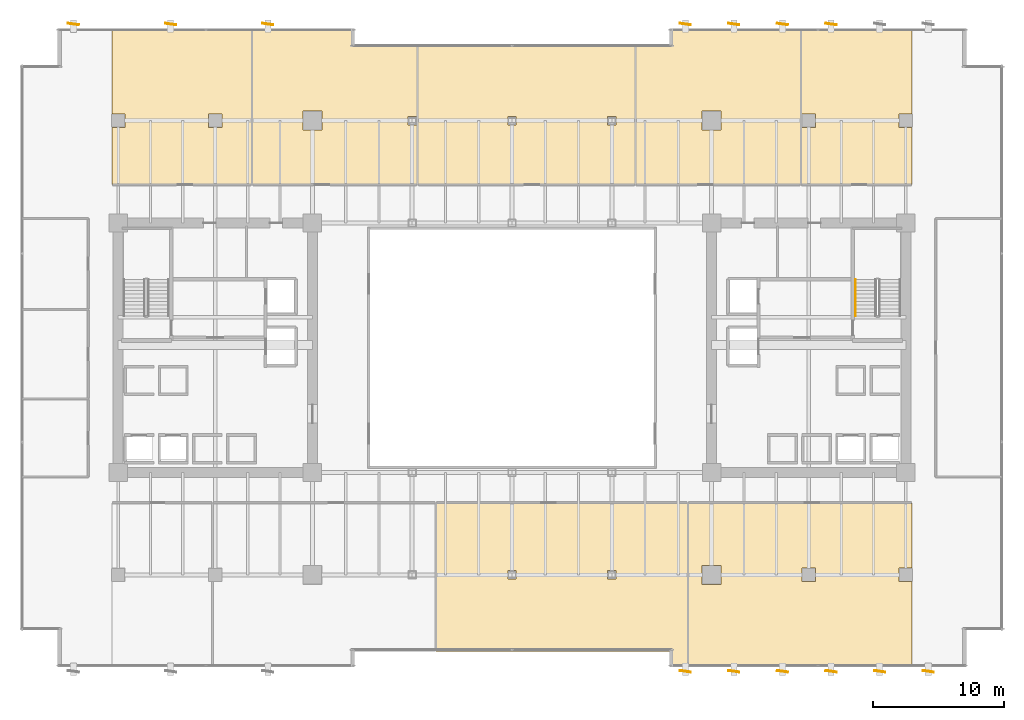
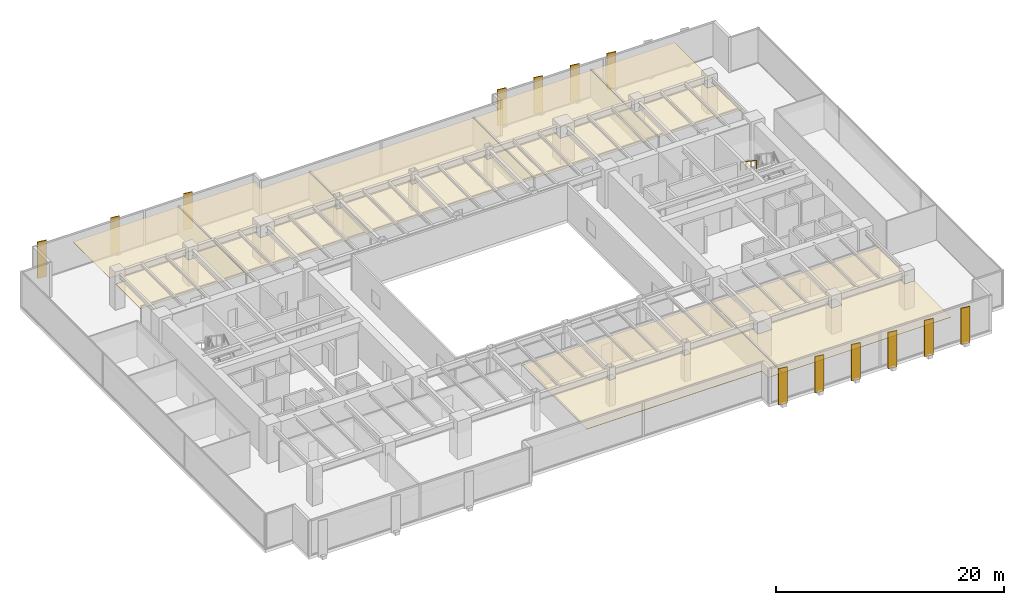
# One storey, part 36 of 37: 13 shading devices, 7 coverings, 1 railing.
"""IFC4 building model written with IfcOpenShell, lengths in metres."""

import ifcopenshell
import ifcopenshell.guid

model = None  # the IFC model being written
_history = None  # IfcOwnerHistory: only IFC2X3 demands one
_inside = {}  # id of a spatial element -> (the spatial element, [elements in it])
_under = {}  # id of a project, library or spatial element -> (it, [spatial elements below it])
_declared = {}  # id of a project -> (the project, [libraries it declares])
_typed = {}  # id of a type object -> (the type object, [elements of that type])
_made_of = {}  # id of a material, layer set ... -> (it, [elements and type objects made of it])


def new_model(schema):
    """Start an empty IFC model of exactly this schema.

    Asked for "IFC4X3", IfcOpenShell would pick the latest addendum, in which some entities
    have other attributes; the version numbers below select the first issue.
    IFC2X3 requires an IfcOwnerHistory on every rooted entity: one is made here for all.
    """
    global model, _history
    if schema == "IFC4X3":
        model = ifcopenshell.file(schema_version=(4, 3, 0, 0))
    else:
        model = ifcopenshell.file(schema=schema)
    _inside.clear()
    _under.clear()
    _declared.clear()
    _typed.clear()
    _made_of.clear()
    _history = None
    if model.schema == "IFC2X3":
        org = make("IfcOrganization", Name="unknown")
        user = make(
            "IfcPersonAndOrganization",
            ThePerson=make("IfcPerson", FamilyName="unknown"),
            TheOrganization=org,
        )
        app = make(
            "IfcApplication",
            ApplicationDeveloper=org,
            Version="unknown",
            ApplicationFullName="unknown",
            ApplicationIdentifier="unknown",
        )
        _history = make(
            "IfcOwnerHistory",
            OwningUser=user,
            OwningApplication=app,
            ChangeAction="ADDED",
            CreationDate=0,
        )
    return model


def make(cls, **values):
    """One entity of the class cls with the attributes given. An attribute that is None is left unset."""
    return model.create_entity(
        cls, **{name: value for name, value in values.items() if value is not None}
    )


def rooted(cls, **values):
    """An entity with a GlobalId (a new one), such as an element, a storey or a relation."""
    return make(cls, GlobalId=ifcopenshell.guid.new(), OwnerHistory=_history, **values)


def si_unit(unit_type, name, prefix=None):
    """IfcSIUnit, for example si_unit("LENGTHUNIT", "METRE", prefix="MILLI")."""
    return make("IfcSIUnit", UnitType=unit_type, Prefix=prefix, Name=name)


def assignment(units):
    """IfcUnitAssignment: the units of a project."""
    return None if units is None else make("IfcUnitAssignment", Units=units)


def point(xyz):
    """IfcCartesianPoint."""
    return None if xyz is None else make("IfcCartesianPoint", Coordinates=xyz)


def direction(xyz):
    """IfcDirection."""
    return None if xyz is None else make("IfcDirection", DirectionRatios=xyz)


def frame(location, z_axis=None, x_axis=None):
    """IfcAxis2Placement3D, a coordinate frame: its origin and axes. An axis left out is left unset."""
    return make(
        "IfcAxis2Placement3D",
        Location=point(location),
        Axis=direction(z_axis),
        RefDirection=direction(x_axis),
    )


def frame_2d(location, x_axis=None):
    """IfcAxis2Placement2D, a coordinate frame in the plane: its origin and x axis."""
    return make(
        "IfcAxis2Placement2D", Location=point(location), RefDirection=direction(x_axis)
    )


def origin():
    """The frame at (0, 0, 0) with its axes left unset."""
    return frame((0.0, 0.0, 0.0))


def origin_2d():
    """The frame at (0, 0) in the plane with its x axis left unset."""
    return frame_2d((0.0, 0.0))


def place(relative_to, where):
    """IfcLocalPlacement: puts the frame where relative to a parent placement (None: the world)."""
    return make(
        "IfcLocalPlacement", PlacementRelTo=relative_to, RelativePlacement=where
    )


def context(
    kind, dimensions, precision=None, world=None, true_north=None, identifier=None
):
    """IfcGeometricRepresentationContext, for example the 3D "Model" context."""
    return make(
        "IfcGeometricRepresentationContext",
        ContextIdentifier=identifier,
        ContextType=kind,
        CoordinateSpaceDimension=dimensions,
        Precision=precision,
        WorldCoordinateSystem=world,
        TrueNorth=true_north,
    )


def subcontext(parent, identifier, kind, view, scale=None):
    """IfcGeometricRepresentationSubContext, for example "Body" below "Model"."""
    return make(
        "IfcGeometricRepresentationSubContext",
        ContextIdentifier=identifier,
        ContextType=kind,
        ParentContext=parent,
        TargetScale=scale,
        TargetView=view,
    )


def project(units=None, contexts=None):
    """IfcProject with its units and contexts."""
    return rooted(
        "IfcProject",
        Name="project",
        RepresentationContexts=contexts,
        UnitsInContext=assignment(units),
    )


def spatial(cls, under=None, at=None, **own):
    """A site, building, storey or space (cls), placed at a placement, below another one or the project."""
    s = rooted(cls, ObjectPlacement=at, **own)
    if under is not None:
        _under.setdefault(under.id(), (under, []))[1].append(s)
    return s


def polyline(points):
    """IfcPolyline through the points."""
    return make("IfcPolyline", Points=[point(p) for p in points])


def profile(cls, at=None, kind="AREA", **sizes):
    """A parametric profile (cls). Its sizes go by their IFC names, for example OverallWidth=200.0."""
    return make(cls, ProfileType=kind, Position=at, **sizes)


def rectangle(**sizes):
    """IfcRectangleProfileDef."""
    return profile("IfcRectangleProfileDef", **sizes)


def circle(**sizes):
    """IfcCircleProfileDef."""
    return profile("IfcCircleProfileDef", **sizes)


def outline(outer, holes=None, kind="AREA"):
    """IfcArbitraryClosedProfileDef: a profile drawn as a closed curve; with holes, ...WithVoids."""
    if holes is None:
        return make("IfcArbitraryClosedProfileDef", ProfileType=kind, OuterCurve=outer)
    return make(
        "IfcArbitraryProfileDefWithVoids",
        ProfileType=kind,
        OuterCurve=outer,
        InnerCurves=holes,
    )


def extrude(swept, where, along, depth):
    """IfcExtrudedAreaSolid: the profile swept, set in the frame where, extruded along a direction by depth."""
    return make(
        "IfcExtrudedAreaSolid",
        SweptArea=swept,
        Position=where,
        ExtrudedDirection=direction(along),
        Depth=depth,
    )


def shape(context_of_items, identifier, shape_type, items):
    """IfcShapeRepresentation: the items that make up one representation, for example the "Body"."""
    return make(
        "IfcShapeRepresentation",
        ContextOfItems=context_of_items,
        RepresentationIdentifier=identifier,
        RepresentationType=shape_type,
        Items=items,
    )


def source(mapping_origin, context_of_items, identifier, shape_type, items):
    """IfcRepresentationMap: a shape defined once, which mapped items show again and again."""
    return make(
        "IfcRepresentationMap",
        MappingOrigin=mapping_origin,
        MappedRepresentation=shape(context_of_items, identifier, shape_type, items),
    )


def transform(
    local_origin,
    x_axis=None,
    y_axis=None,
    z_axis=None,
    scale=None,
    scale2=None,
    scale3=None,
    uniform=True,
):
    """IfcCartesianTransformationOperator3D, or its non-uniform kind. x_axis, y_axis, z_axis: its Axis1, 2, 3."""
    if uniform:
        return make(
            "IfcCartesianTransformationOperator3D",
            Axis1=direction(x_axis),
            Axis2=direction(y_axis),
            LocalOrigin=point(local_origin),
            Scale=scale,
            Axis3=direction(z_axis),
        )
    return make(
        "IfcCartesianTransformationOperator3DnonUniform",
        Axis1=direction(x_axis),
        Axis2=direction(y_axis),
        LocalOrigin=point(local_origin),
        Scale=scale,
        Axis3=direction(z_axis),
        Scale2=scale2,
        Scale3=scale3,
    )


def mapped(mapping_source, mapping_target):
    """IfcMappedItem: shows the shape of a source again, moved by a transform."""
    return make(
        "IfcMappedItem", MappingSource=mapping_source, MappingTarget=mapping_target
    )


def material(Name=None, Category=None):
    """IfcMaterial."""
    return make("IfcMaterial", Name=Name, Category=Category)


def layer(
    of_material, thickness, ventilated=None, Name=None, Category=None, Priority=None
):
    """IfcMaterialLayer: one layer of a wall or slab, of a material (None: an air gap)."""
    return make(
        "IfcMaterialLayer",
        Material=of_material,
        LayerThickness=thickness,
        IsVentilated=ventilated,
        Name=Name,
        Category=Category,
        Priority=Priority,
    )


def layer_set(layers, Name=None):
    """IfcMaterialLayerSet."""
    return make("IfcMaterialLayerSet", MaterialLayers=layers, LayerSetName=Name)


def material_profile(
    of_material, cross_section, Name=None, Category=None, Priority=None
):
    """IfcMaterialProfile: a cross section and its material."""
    return make(
        "IfcMaterialProfile",
        Name=Name,
        Material=of_material,
        Profile=cross_section,
        Priority=Priority,
        Category=Category,
    )


def profile_set(profiles, Name=None, composite=None):
    """IfcMaterialProfileSet."""
    return make(
        "IfcMaterialProfileSet",
        Name=Name,
        MaterialProfiles=profiles,
        CompositeProfile=composite,
    )


def made_of(thing, what):
    """Note that an element or type object is made of a material, layer set ...; save() writes the relation."""
    if what is not None:
        _made_of.setdefault(what.id(), (what, []))[1].append(thing)
    return thing


def type_object(cls, material=None, **own):
    """A type object (cls), such as IfcWallType, which elements share."""
    return made_of(rooted(cls, **own), material)


def type_shapes(of_type, sources):
    """Give a type object the sources (RepresentationMaps) that its elements show as mapped items."""
    of_type.RepresentationMaps = sources


def element(
    cls,
    number,
    at=None,
    inside=None,
    cuts=None,
    type_object=None,
    material=None,
    context=None,
    identifier="Body",
    shape_type=None,
    held_by="IfcProductDefinitionShape",
    body=None,
    shapes=None,
    **own,
):
    """One element of the class cls, such as IfcWall. Its Tag is "e" and its number.

    at: its placement. inside: the storey or other place that contains it. cuts: it is an
    opening in that element (IfcRelVoidsElement). A single representation is given by context,
    identifier, shape_type and body (its items); several are given by shapes. held_by: the class
    of the entity that holds the representations. save() writes the other relations.
    """
    e = rooted(cls, Tag="e%d" % number, ObjectPlacement=at, **own)
    if body is not None:
        shapes = [shape(context, identifier, shape_type, body)]
    if shapes is not None:
        e.Representation = make(held_by, Representations=shapes)
    if inside is not None:
        _inside.setdefault(inside.id(), (inside, []))[1].append(e)
    if cuts is not None:
        rooted(
            "IfcRelVoidsElement", RelatingBuildingElement=cuts, RelatedOpeningElement=e
        )
    if type_object is not None:
        _typed.setdefault(type_object.id(), (type_object, []))[1].append(e)
    return made_of(e, material)


def aggregate(whole, parts):
    """IfcRelAggregates: a whole, such as a stair, and the parts it consists of."""
    return rooted("IfcRelAggregates", RelatingObject=whole, RelatedObjects=parts)


def save(model, path):
    """Write the relations noted so far, then the file.

    IfcRelAggregates (storeys below a building ...), IfcRelContainedInSpatialStructure (elements
    in a storey), IfcRelDefinesByType, IfcRelAssociatesMaterial and IfcRelDeclares: one each for
    every whole, place, type object, material and project.
    """
    for whole, parts in _under.values():
        aggregate(whole, parts)
    for where, things in _inside.values():
        rooted(
            "IfcRelContainedInSpatialStructure",
            RelatedElements=things,
            RelatingStructure=where,
        )
    for kind, things in _typed.values():
        rooted("IfcRelDefinesByType", RelatedObjects=things, RelatingType=kind)
    for what, things in _made_of.values():
        rooted("IfcRelAssociatesMaterial", RelatedObjects=things, RelatingMaterial=what)
    for by, libraries in _declared.values():
        rooted("IfcRelDeclares", RelatingContext=by, RelatedDefinitions=libraries)
    model.write(path)


model = new_model("IFC4")

# Units and contexts
model_context = context("Model", 3, precision=1e-05, world=origin(), true_north=direction((0.0, 1.0)))
body_context = subcontext(model_context, "Body", "Model", "MODEL_VIEW")
ifc_project = project(units=[si_unit("LENGTHUNIT", "METRE"), si_unit("AREAUNIT", "SQUARE_METRE"), si_unit("VOLUMEUNIT", "CUBIC_METRE"), si_unit("PLANEANGLEUNIT", "RADIAN"), si_unit("MASSUNIT", "GRAM", prefix="KILO")], contexts=[model_context])

# Site, building, storey
site_placement = place(None, origin())
site = spatial("IfcSite", under=ifc_project, at=site_placement, CompositionType="ELEMENT")
building_placement = place(site_placement, origin())
building = spatial("IfcBuilding", under=site, at=building_placement, Name="Haelvirn Gate Laboratories", CompositionType="ELEMENT")
storey_placement = place(building_placement, frame((0.0, 0.0, 74.39990234375)))
storey = spatial("IfcBuildingStorey", under=building, at=storey_placement, Name="L18", CompositionType="ELEMENT", Elevation=74.39990234375)

# Coverings
ifc_material_1 = material(Name="Micro-perforated acoustic mineral-fibre laboratory ceiling")
ifc_layer = layer(ifc_material_1, 0.0400390625, Name="COV-CEIL-ACT")
ifc_layer_set = layer_set([ifc_layer], Name="Micro-perforated acoustic mineral-fibre laboratory ceiling")
covering_type = type_object("IfcCoveringType", Name="COV-CEIL-ACT", PredefinedType="CEILING", material=ifc_layer_set)
covering_1_placement = place(storey_placement, frame((0.0, 0.0, 2.81005859375)))
element("IfcCovering", 1, at=covering_1_placement, inside=storey, type_object=covering_type, Name="L18 Laboratory Acoustic Ceiling CEIL-SP-L18-S-03", PredefinedType="CEILING", context=body_context, shape_type="SweptSolid", body=[
    extrude(outline(polyline([(31.6201171875, 1.179931640625), (31.6201171875, 12.47998046875), (50.780029296875, 12.47998046875), (50.780029296875, 0.050048828125), (49.3798828125, 0.050048828125), (49.3798828125, 1.179931640625), (31.6201171875, 1.179931640625)]), holes=[polyline([(37.080078125, 7.320068359375), (37.080078125, 6.679931640625), (37.719970703125, 6.679931640625), (37.719970703125, 7.320068359375), (37.080078125, 7.320068359375)]), polyline([(45.320068359375, 7.320068359375), (44.679931640625, 7.320068359375), (44.679931640625, 6.679931640625), (45.320068359375, 6.679931640625), (45.320068359375, 7.320068359375)])]), origin(), (0.0, 0.0, 1.0), 0.0400390625),
])
covering_2_placement = place(storey_placement, frame((0.0, 0.0, 2.81005859375)))
element("IfcCovering", 2, at=covering_2_placement, inside=storey, type_object=covering_type, Name="L18 Laboratory Acoustic Ceiling CEIL-SP-L18-S-04", PredefinedType="CEILING", context=body_context, shape_type="SweptSolid", body=[
    extrude(outline(polyline([(67.8798828125, 0.050048828125), (50.820068359375, 0.050048828125), (50.820068359375, 12.47998046875), (67.8798828125, 12.47998046875), (67.8798828125, 7.52001953125), (66.8798828125, 7.52001953125), (66.8798828125, 6.47998046875), (67.8798828125, 6.47998046875), (67.8798828125, 0.050048828125)]), holes=[polyline([(51.8798828125, 6.280029296875), (53.320068359375, 6.280029296875), (53.320068359375, 7.719970703125), (51.8798828125, 7.719970703125), (51.8798828125, 6.280029296875)]), polyline([(59.47998046875, 7.52001953125), (59.47998046875, 6.47998046875), (60.52001953125, 6.47998046875), (60.52001953125, 7.52001953125), (59.47998046875, 7.52001953125)])]), origin(), (0.0, 0.0, 1.0), 0.0400390625),
])
covering_3_placement = place(storey_placement, frame((0.0, 0.0, 2.81005859375)))
element("IfcCovering", 3, at=covering_3_placement, inside=storey, type_object=covering_type, Name="L18 Laboratory Acoustic Ceiling CEIL-SP-L18-N-01", PredefinedType="CEILING", context=body_context, shape_type="SweptSolid", body=[
    extrude(outline(polyline([(6.919921875, 41.080078125), (7.919921875, 41.080078125), (7.919921875, 42.1201171875), (6.919921875, 42.1201171875), (6.919921875, 48.550048828125), (17.580078125, 48.550048828125), (17.580078125, 36.719970703125), (6.919921875, 36.719970703125), (6.919921875, 41.080078125)]), holes=[polyline([(14.280029296875, 42.1201171875), (14.280029296875, 41.080078125), (15.320068359375, 41.080078125), (15.320068359375, 42.1201171875), (14.280029296875, 42.1201171875)])]), origin(), (0.0, 0.0, 1.0), 0.0400390625),
])
covering_4_placement = place(storey_placement, frame((0.0, 0.0, 2.81005859375)))
element("IfcCovering", 4, at=covering_4_placement, inside=storey, type_object=covering_type, Name="L18 Laboratory Acoustic Ceiling CEIL-SP-L18-N-02", PredefinedType="CEILING", context=body_context, shape_type="SweptSolid", body=[
    extrude(outline(polyline([(30.179931640625, 41.860107421875), (30.1201171875, 41.860107421875), (30.1201171875, 41.919921875), (29.47998046875, 41.919921875), (29.47998046875, 41.280029296875), (30.1201171875, 41.280029296875), (30.1201171875, 41.340087890625), (30.179931640625, 41.340087890625), (30.179931640625, 36.719970703125), (17.6201171875, 36.719970703125), (17.6201171875, 48.550048828125), (25.419921875, 48.550048828125), (25.419921875, 47.419921875), (30.179931640625, 47.419921875), (30.179931640625, 41.860107421875)]), holes=[polyline([(21.47998046875, 42.320068359375), (21.47998046875, 40.8798828125), (22.919921875, 40.8798828125), (22.919921875, 42.320068359375), (21.47998046875, 42.320068359375)])]), origin(), (0.0, 0.0, 1.0), 0.0400390625),
])
covering_5_placement = place(storey_placement, frame((0.0, 0.0, 2.81005859375)))
element("IfcCovering", 5, at=covering_5_placement, inside=storey, type_object=covering_type, Name="L18 Laboratory Acoustic Ceiling CEIL-SP-L18-N-03", PredefinedType="CEILING", context=body_context, shape_type="SweptSolid", body=[
    extrude(outline(polyline([(30.219970703125, 36.719970703125), (30.219970703125, 47.419921875), (46.780029296875, 47.419921875), (46.780029296875, 36.719970703125), (30.219970703125, 36.719970703125)]), holes=[polyline([(37.080078125, 41.919921875), (37.080078125, 41.280029296875), (37.719970703125, 41.280029296875), (37.719970703125, 41.919921875), (37.080078125, 41.919921875)]), polyline([(45.320068359375, 41.919921875), (44.679931640625, 41.919921875), (44.679931640625, 41.280029296875), (45.320068359375, 41.280029296875), (45.320068359375, 41.919921875)])]), origin(), (0.0, 0.0, 1.0), 0.0400390625),
])
covering_6_placement = place(storey_placement, frame((0.0, 0.0, 2.81005859375)))
element("IfcCovering", 6, at=covering_6_placement, inside=storey, type_object=covering_type, Name="L18 Laboratory Acoustic Ceiling CEIL-SP-L18-N-04", PredefinedType="CEILING", context=body_context, shape_type="SweptSolid", body=[
    extrude(outline(polyline([(46.820068359375, 47.419921875), (49.3798828125, 47.419921875), (49.3798828125, 48.550048828125), (59.3798828125, 48.550048828125), (59.3798828125, 36.719970703125), (46.820068359375, 36.719970703125), (46.820068359375, 47.419921875)]), holes=[polyline([(53.320068359375, 42.320068359375), (51.8798828125, 42.320068359375), (51.8798828125, 40.8798828125), (53.320068359375, 40.8798828125), (53.320068359375, 42.320068359375)])]), origin(), (0.0, 0.0, 1.0), 0.0400390625),
])
covering_7_placement = place(storey_placement, frame((0.0, 0.0, 2.81005859375)))
element("IfcCovering", 7, at=covering_7_placement, inside=storey, type_object=covering_type, Name="L18 Laboratory Acoustic Ceiling CEIL-SP-L18-N-05", PredefinedType="CEILING", context=body_context, shape_type="SweptSolid", body=[
    extrude(outline(polyline([(59.419921875, 48.550048828125), (67.8798828125, 48.550048828125), (67.8798828125, 42.1201171875), (66.8798828125, 42.1201171875), (66.8798828125, 41.080078125), (67.8798828125, 41.080078125), (67.8798828125, 36.719970703125), (59.419921875, 36.719970703125), (59.419921875, 41.139892578125), (59.47998046875, 41.139892578125), (59.47998046875, 41.080078125), (60.52001953125, 41.080078125), (60.52001953125, 42.1201171875), (59.47998046875, 42.1201171875), (59.47998046875, 42.06005859375), (59.419921875, 42.06005859375), (59.419921875, 48.550048828125)])), origin(), (0.0, 0.0, 1.0), 0.0400390625),
])

# Shading devices
ifc_material_2 = material(Name="Extruded aluminium 6063-T6 (anodised bronze)", Category="aluminium")
ifc_material_profile = material_profile(ifc_material_2, rectangle(XDim=0.074951171875, YDim=0.85009765625, at=origin_2d()), Name="FIN-850x75")
ifc_profile_set = profile_set([ifc_material_profile], Name="Extruded aluminium 6063-T6 (anodised bronze)")
shading_device_type = type_object("IfcShadingDeviceType", Name="SHD-FIN-850", PredefinedType="USERDEFINED", material=ifc_profile_set)
shared_shape_1 = source(origin(), body_context, "Body", "SweptSolid", [
    extrude(rectangle(XDim=0.074951171875, YDim=0.85009765625, at=origin_2d()), origin(), (0.0, 0.0, 1.0), 3.900146484375),
])
type_shapes(shading_device_type, [shared_shape_1])
for number, where, z_axis, x_axis, name in (
    (8, (4.0, 48.945068359375, -0.179931640625), (0.0, 0.0, 1.0), (0.146083028562, 0.989272332963, 0.0), "L18 Fluted Bronze Vertical Fin N01"),
    (9, (11.39990234375, 48.945068359375, -0.179931640625), (0.0, 0.0, 1.0), (0.146083028562, 0.989272332963, 0.0), "L18 Fluted Bronze Vertical Fin N02"),
    (10, (18.800048828125, 48.945068359375, -0.179931640625), (0.0, 0.0, 1.0), (0.146083028562, 0.989272332963, 0.0), "L18 Fluted Bronze Vertical Fin N03"),
    (11, (50.60009765625, -0.344970703125, -0.179931640625), (0.0, 0.0, 1.0), (0.146083028562, 0.989272332963, 0.0), "L18 Fluted Bronze Vertical Fin S04"),
    (12, (50.60009765625, 48.945068359375, -0.179931640625), (0.0, 0.0, 1.0), (0.146083028562, 0.989272332963, 0.0), "L18 Fluted Bronze Vertical Fin N04"),
    (13, (54.300048828125, -0.344970703125, -0.179931640625), (0.0, 0.0, 1.0), (0.146083028562, 0.989272332963, 0.0), "L18 Fluted Bronze Vertical Fin S05"),
    (14, (54.300048828125, 48.945068359375, -0.179931640625), (0.0, 0.0, 1.0), (0.146083028562, 0.989272332963, 0.0), "L18 Fluted Bronze Vertical Fin N05"),
    (15, (58.0, -0.344970703125, -0.179931640625), (0.0, 0.0, 1.0), (0.146083028562, 0.989272332963, 0.0), "L18 Fluted Bronze Vertical Fin S06"),
    (16, (58.0, 48.945068359375, -0.179931640625), (0.0, 0.0, 1.0), (0.146083028562, 0.989272332963, 0.0), "L18 Fluted Bronze Vertical Fin N06"),
    (17, (61.699951171875, -0.344970703125, -0.179931640625), (0.0, 0.0, 1.0), (0.146083028562, 0.989272332963, 0.0), "L18 Fluted Bronze Vertical Fin S07"),
    (18, (61.699951171875, 48.945068359375, -0.179931640625), (0.0, 0.0, 1.0), (0.146083028562, 0.989272332963, 0.0), "L18 Fluted Bronze Vertical Fin N07"),
    (19, (65.39990234375, -0.344970703125, -0.179931640625), (0.0, 0.0, 1.0), (0.146083028562, 0.989272332963, 0.0), "L18 Fluted Bronze Vertical Fin S08"),
    (20, (69.10009765625, -0.344970703125, -0.179931640625), (0.0, 0.0, 1.0), (0.146083028562, 0.989272332963, 0.0), "L18 Fluted Bronze Vertical Fin S09"),
):
    element("IfcShadingDevice", number, at=place(storey_placement, frame(where, z_axis=z_axis, x_axis=x_axis)), inside=storey, type_object=shading_device_type, Name=name, ObjectType="FIN", PredefinedType="USERDEFINED", context=body_context, shape_type="MappedRepresentation", body=[
        mapped(shared_shape_1, transform((0.0, 0.0, 0.0), scale=1.0)),
    ])

# Railing
ifc_material_3 = material(Name="Brushed stainless steel 316L", Category="steel")
railing_type = type_object("IfcRailingType", Name="RL-HAND-920", PredefinedType="HANDRAIL", material=ifc_material_3)
shared_shape_2 = source(origin(), body_context, "Body", "SweptSolid", [
    extrude(circle(Radius=0.02392578125, at=origin_2d()), frame((0.0, 0.0, 0.8759765625), z_axis=(0.0, -0.832485552168, 0.554046753832), x_axis=(1.0, 0.0, 0.0)), (0.0, 0.0, 1.0), 3.363525390625),
    extrude(circle(Radius=0.02099609375, at=origin_2d()), origin(), (0.0, 0.0, 1.0), 0.851806640625),
    extrude(circle(Radius=0.02099609375, at=origin_2d()), frame((0.0, -0.933349609375, 0.62109375)), (0.0, 0.0, 1.0), 0.851806640625),
    extrude(circle(Radius=0.02099609375, at=origin_2d()), frame((0.0, -1.86669921875, 1.242431640625)), (0.0, 0.0, 1.0), 0.851806640625),
    extrude(circle(Radius=0.02099609375, at=origin_2d()), frame((0.0, -2.800048828125, 1.863525390625)), (0.0, 0.0, 1.0), 0.851806640625),
])
type_shapes(railing_type, [shared_shape_2])
railing_placement = place(storey_placement, frame((63.550048828125, 29.5, 2.236572265625)))
element("IfcRailing", 21, at=railing_placement, inside=storey, type_object=railing_type, Name="L18 ST2 stair handrail 2", PredefinedType="HANDRAIL", context=body_context, shape_type="MappedRepresentation", body=[
    mapped(shared_shape_2, transform((0.0, 0.0, 0.0), scale=1.0)),
])

save(model, "model.ifc")
